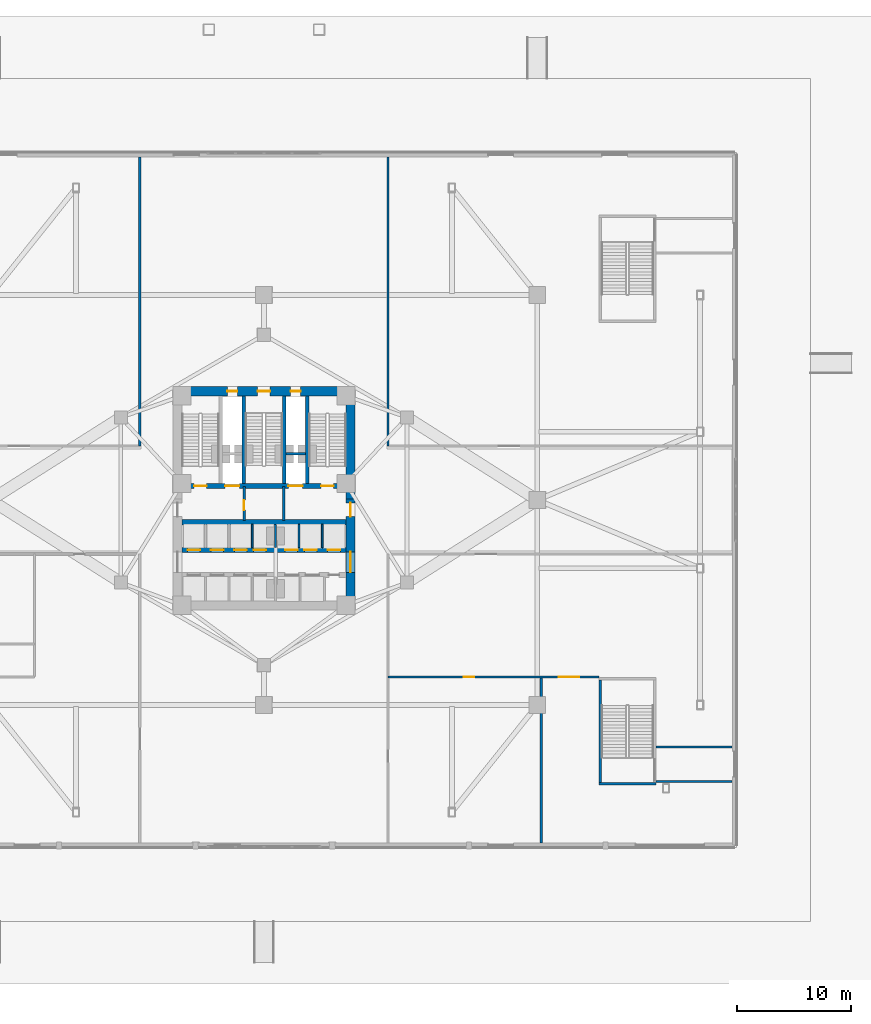
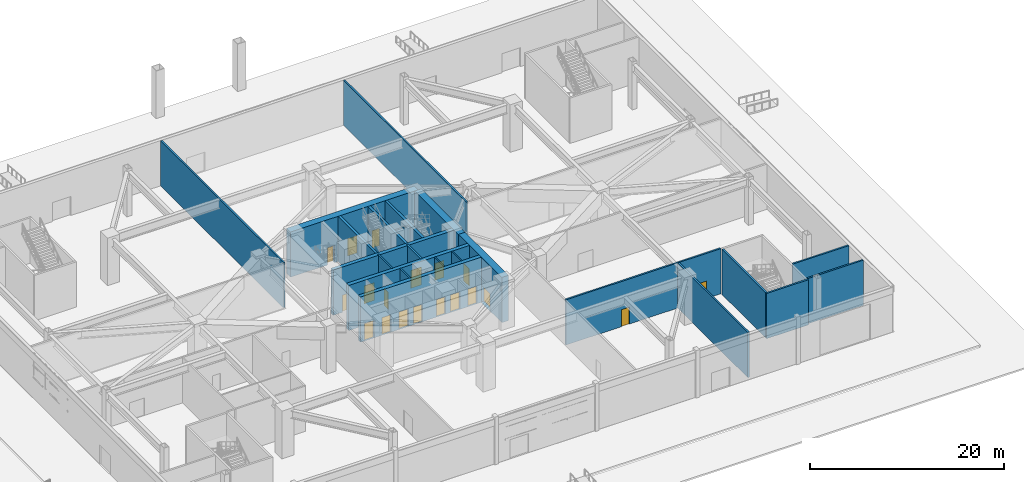
# One storey, part 12 of 24: 24 walls, 19 doors, 19 openings.
"""IFC4 building model written with IfcOpenShell, lengths in metres."""

from ifc_helpers import new_model, si_unit, direction, frame, frame_2d, origin, place, context, subcontext, project, spatial, rectangle, extrude, material, layer, layer_set, type_object, element, fill, save


model = new_model("IFC4")

# Units and contexts
model_context = context("Model", 3, precision=1e-05, world=origin(), true_north=direction((0.0, 1.0)))
body_context = subcontext(model_context, "Body", "Model", "MODEL_VIEW")
ifc_project = project(units=[si_unit("LENGTHUNIT", "METRE"), si_unit("AREAUNIT", "SQUARE_METRE"), si_unit("VOLUMEUNIT", "CUBIC_METRE"), si_unit("PLANEANGLEUNIT", "RADIAN"), si_unit("MASSUNIT", "GRAM", prefix="KILO")], contexts=[model_context])

# Site, building, storey
site_placement = place(None, origin())
site = spatial("IfcSite", under=ifc_project, at=site_placement, CompositionType="ELEMENT")
building_placement = place(site_placement, origin())
building = spatial("IfcBuilding", under=site, at=building_placement, Name="Apsidion Concourse Tower", CompositionType="ELEMENT")
storey_placement = place(building_placement, origin())
storey = spatial("IfcBuildingStorey", under=building, at=storey_placement, Name="L00", CompositionType="ELEMENT", Elevation=0.0)

# Walls
ifc_material_1 = material(Name="Gypsum plasterboard partition")
ifc_layer_1 = layer(ifc_material_1, 0.14990234375)
ifc_layer_set_1 = layer_set([ifc_layer_1], Name="Gypsum plasterboard partition")
wall_type_1 = type_object("IfcWallType", Name="WL-INT-PAR-150", PredefinedType="PARTITIONING", material=ifc_layer_set_1)
for number, where, z_axis, x_axis, name in (
    (1, (-1.02490234375, -4.179931640625, 0.0), (0.0, 0.0, 1.0), (0.0, 1.0, 0.0), "L00 Interior Partition WL-L00-B1DIV-3"),
    (2, (3.074951171875, -4.179931640625, 0.0), (0.0, 0.0, 1.0), (0.0, 1.0, 0.0), "L00 Interior Partition WL-L00-B3DIV-1"),
    (3, (5.125, -4.179931640625, 0.0), (0.0, 0.0, 1.0), (0.0, 1.0, 0.0), "L00 Interior Partition WL-L00-B3DIV-2"),
):
    element("IfcWall", number, at=place(storey_placement, frame(where, z_axis=z_axis, x_axis=x_axis)), inside=storey, type_object=wall_type_1, Name=name, PredefinedType="PARTITIONING", context=body_context, shape_type="SweptSolid", body=[
        extrude(rectangle(XDim=2.030029296875, YDim=0.14990234375, at=frame_2d((1.01513671875, 0.0))), origin(), (0.0, 0.0, 1.0), 5.699951171875),
    ])
ifc_layer_2 = layer(ifc_material_1, 0.179931640625)
ifc_layer_set_2 = layer_set([ifc_layer_2], Name="Gypsum plasterboard partition")
wall_type_2 = type_object("IfcWallType", Name="WL-INT-PAR-180", PredefinedType="PARTITIONING", material=ifc_layer_set_2)
wall_1_placement = place(storey_placement, frame((1.02490234375, -4.179931640625, 0.0), z_axis=(0.0, 0.0, 1.0), x_axis=(0.0, 1.0, 0.0)))
element("IfcWall", 4, at=wall_1_placement, inside=storey, type_object=wall_type_2, Name="L00 Interior Partition WL-L00-B1END", PredefinedType="PARTITIONING", context=body_context, shape_type="SweptSolid", body=[
    extrude(rectangle(XDim=2.030029296875, YDim=0.179931640625, at=frame_2d((1.01513671875, 0.0))), origin(), (0.0, 0.0, 1.0), 4.748046875),
])
ifc_layer_3 = layer(ifc_material_1, 0.199951171875)
ifc_layer_set_3 = layer_set([ifc_layer_3], Name="Gypsum plasterboard partition")
wall_type_3 = type_object("IfcWallType", Name="WL-INT-PAR-200", PredefinedType="PARTITIONING", material=ifc_layer_set_3)
wall_2_placement = place(storey_placement, frame((1.919921875, 4.050048828125, 0.0), z_axis=(0.0, 0.0, 1.0), x_axis=(1.0, 0.0, 0.0)))
element("IfcWall", 5, at=wall_2_placement, inside=storey, type_object=wall_type_3, Name="L00 Interior Partition WL-L00-FF2-N", PredefinedType="PARTITIONING", context=body_context, shape_type="SweptSolid", body=[
    extrude(rectangle(XDim=1.72998046875, YDim=0.199951171875, at=frame_2d((0.864990234375, 0.0))), origin(), (0.0, 0.0, 1.0), 5.699951171875),
])

# Wall, opening, door
wall_3_placement = place(storey_placement, frame((-1.739990234375, -1.780029296875, 0.0), z_axis=(0.0, 0.0, 1.0), x_axis=(0.0, 1.0, 0.0)))
wall_3 = element("IfcWall", 6, at=wall_3_placement, inside=storey, type_object=wall_type_3, Name="L00 Interior Partition WL-L00-FF1-E", PredefinedType="PARTITIONING", context=body_context, shape_type="SweptSolid", body=[
    extrude(rectangle(XDim=2.97998046875, YDim=0.199951171875, at=frame_2d((1.489990234375, 0.0))), origin(), (0.0, 0.0, 1.0), 5.699951171875),
])
opening_1_placement = place(wall_3_placement, frame((0.889892578125, 0.0, 0.0)))
opening_1 = element("IfcOpeningElement", 7, at=opening_1_placement, cuts=wall_3, Name="Opening D-05R", PredefinedType="OPENING", context=body_context, shape_type="SweptSolid", body=[
    extrude(rectangle(XDim=0.8798828125, YDim=2.14990234375, at=frame_2d((0.43994140625, 1.074951171875))), frame((0.0, 0.10986328125, 0.0), z_axis=(0.0, -1.0, 0.0), x_axis=(1.0, 0.0, 0.0)), (0.0, 0.0, 1.0), 0.219970703125),
])
ifc_material_2 = material(Name="Brushed stainless steel 316", Category="steel")
door_type_1 = type_object("IfcDoorType", Name="DR-INT-D05R", OperationType="SINGLE_SWING_RIGHT", PredefinedType="DOOR", material=ifc_material_2)
door_1_placement = place(opening_1_placement, origin())
door_1 = element("IfcDoor", 8, at=door_1_placement, inside=storey, type_object=door_type_1, Name="L00 Core BMS Door", OperationType="SINGLE_SWING_RIGHT", OverallHeight=2.14990234375, OverallWidth=0.8798828125, PredefinedType="DOOR", context=body_context, shape_type="SweptSolid", body=[
    extrude(rectangle(XDim=0.8798828125, YDim=2.14990234375, at=frame_2d((0.43994140625, 1.074951171875))), frame((0.0, 0.02490234375, 0.0), z_axis=(0.0, -1.0, 0.0), x_axis=(1.0, 0.0, 0.0)), (0.0, 0.0, 1.0), 0.050048828125),
])
fill(opening_1, door_1)

# Walls
wall_4_placement = place(storey_placement, frame((1.739990234375, -1.780029296875, 0.0), z_axis=(0.0, 0.0, 1.0), x_axis=(0.0, 1.0, 0.0)))
element("IfcWall", 9, at=wall_4_placement, inside=storey, type_object=wall_type_3, Name="L00 Interior Partition WL-L00-FF2-W", PredefinedType="PARTITIONING", context=body_context, shape_type="SweptSolid", body=[
    extrude(rectangle(XDim=2.97998046875, YDim=0.199951171875, at=frame_2d((1.489990234375, 0.0))), origin(), (0.0, 0.0, 1.0), 5.699951171875),
])
for number, where, z_axis, x_axis, name in (
    (10, (34.419921875, -24.7099609375, 0.0), (0.0, 0.0, 1.0), (1.0, 0.0, 0.0), "L00 Interior Partition WL-L00-EXP2-S"),
    (11, (34.419921875, -21.68994140625, 0.0), (0.0, 0.0, 1.0), (1.0, 0.0, 0.0), "L00 Interior Partition WL-L00-EXP2-N"),
):
    element("IfcWall", number, at=place(storey_placement, frame(where, z_axis=z_axis, x_axis=x_axis)), inside=storey, type_object=wall_type_3, Name=name, PredefinedType="PARTITIONING", context=body_context, shape_type="SweptSolid", body=[
        extrude(rectangle(XDim=6.68505859375, YDim=0.199951171875, at=frame_2d((3.342529296875, 0.0))), origin(), (0.0, 0.0, 1.0), 5.699951171875),
    ])
for number, where, z_axis, x_axis, name in (
    (12, (-10.89990234375, 4.75, 0.0), (0.0, 0.0, 1.0), (0.0, 1.0, 0.0), "L00 Interior Partition WL-L00-NW-E"),
    (13, (10.89990234375, 4.75, 0.0), (0.0, 0.0, 1.0), (0.0, 1.0, 0.0), "L00 Interior Partition WL-L00-NE-W"),
):
    element("IfcWall", number, at=place(storey_placement, frame(where, z_axis=z_axis, x_axis=x_axis)), inside=storey, type_object=wall_type_3, Name=name, PredefinedType="PARTITIONING", context=body_context, shape_type="SweptSolid", body=[
        extrude(rectangle(XDim=25.35498046875, YDim=0.199951171875, at=frame_2d((12.677490234375, 0.0))), origin(), (0.0, 0.0, 1.0), 5.699951171875),
    ])

# Wall, openings, doors
wall_5_placement = place(storey_placement, frame((10.89990234375, -15.550048828125, 0.0), z_axis=(0.0, 0.0, 1.0), x_axis=(1.0, 0.0, 0.0)))
wall_5 = element("IfcWall", 14, at=wall_5_placement, inside=storey, type_object=wall_type_3, Name="L00 Interior Partition WL-L00-LD-N1", PredefinedType="PARTITIONING", context=body_context, shape_type="SweptSolid", body=[
    extrude(rectangle(XDim=18.5, YDim=0.199951171875, at=frame_2d((9.25, 0.0))), origin(), (0.0, 0.0, 1.0), 5.699951171875),
])
opening_2_placement = place(wall_5_placement, frame((6.625244140625, 0.0, 0.0)))
opening_2 = element("IfcOpeningElement", 15, at=opening_2_placement, cuts=wall_5, Name="Opening D-04L", PredefinedType="OPENING", context=body_context, shape_type="SweptSolid", body=[
    extrude(rectangle(XDim=0.949951171875, YDim=2.14990234375, at=frame_2d((0.47509765625, 1.074951171875))), frame((0.0, 0.10986328125, 0.0), z_axis=(0.0, -1.0, 0.0), x_axis=(1.0, 0.0, 0.0)), (0.0, 0.0, 1.0), 0.219970703125),
])
opening_3_placement = place(wall_5_placement, frame((15.000732421875, 0.0, 0.0)))
opening_3 = element("IfcOpeningElement", 16, at=opening_3_placement, cuts=wall_5, Name="Opening D-06D", PredefinedType="OPENING", context=body_context, shape_type="SweptSolid", body=[
    extrude(rectangle(XDim=1.800048828125, YDim=2.199951171875, at=frame_2d((0.89990234375, 1.10009765625))), frame((0.0, 0.10986328125, 0.0), z_axis=(0.0, -1.0, 0.0), x_axis=(1.0, 0.0, 0.0)), (0.0, 0.0, 1.0), 0.219970703125),
])
door_type_2 = type_object("IfcDoorType", Name="DR-INT-D04L", OperationType="SINGLE_SWING_LEFT", PredefinedType="DOOR", material=ifc_material_2)
door_2_placement = place(opening_2_placement, origin())
door_2 = element("IfcDoor", 17, at=door_2_placement, inside=storey, type_object=door_type_2, Name="Service Corridor Bike Door", OperationType="SINGLE_SWING_LEFT", OverallHeight=2.14990234375, OverallWidth=0.949951171875, PredefinedType="DOOR", context=body_context, shape_type="SweptSolid", body=[
    extrude(rectangle(XDim=0.949951171875, YDim=2.14990234375, at=frame_2d((0.47509765625, 1.074951171875))), frame((0.0, 0.02490234375, 0.0), z_axis=(0.0, -1.0, 0.0), x_axis=(1.0, 0.0, 0.0)), (0.0, 0.0, 1.0), 0.050048828125),
])
fill(opening_2, door_2)
door_type_3 = type_object("IfcDoorType", Name="DR-INT-D06D", OperationType="DOUBLE_DOOR_SINGLE_SWING", PredefinedType="DOOR", material=ifc_material_2)
door_3_placement = place(opening_3_placement, origin())
door_3 = element("IfcDoor", 18, at=door_3_placement, inside=storey, type_object=door_type_3, Name="Loading Bay Service Door", OperationType="DOUBLE_DOOR_SINGLE_SWING", OverallHeight=2.199951171875, OverallWidth=1.800048828125, PredefinedType="DOOR", context=body_context, shape_type="SweptSolid", body=[
    extrude(rectangle(XDim=1.800048828125, YDim=2.199951171875, at=frame_2d((0.89990234375, 1.10009765625))), frame((0.0, 0.02490234375, 0.0), z_axis=(0.0, -1.0, 0.0), x_axis=(1.0, 0.0, 0.0)), (0.0, 0.0, 1.0), 0.050048828125),
])
fill(opening_3, door_3)

# Walls
wall_6_placement = place(storey_placement, frame((24.35009765625, -30.10498046875, 0.0), z_axis=(0.0, 0.0, 1.0), x_axis=(0.0, 1.0, 0.0)))
element("IfcWall", 19, at=wall_6_placement, inside=storey, type_object=wall_type_3, Name="L00 Interior Partition WL-L00-LD-W", PredefinedType="PARTITIONING", context=body_context, shape_type="SweptSolid", body=[
    extrude(rectangle(XDim=14.455078125, YDim=0.199951171875, at=frame_2d((7.2275390625, 0.0))), origin(), (0.0, 0.0, 1.0), 5.699951171875),
])
ifc_material_3 = material(Name="Concrete C50/60", Category="concrete")
ifc_layer_4 = layer(ifc_material_3, 0.219970703125)
ifc_layer_set_4 = layer_set([ifc_layer_4], Name="Concrete C50/60")
wall_type_4 = type_object("IfcWallType", Name="WL-SH-220", PredefinedType="SHEAR", material=ifc_layer_set_4)
wall_7_placement = place(storey_placement, frame((29.429931640625, -24.909912109375, 0.0), z_axis=(0.0, 0.0, 1.0), x_axis=(1.0, 0.0, 0.0)))
element("IfcWall", 20, at=wall_7_placement, inside=storey, type_object=wall_type_4, Name="L00 Podium Stair ST-P2 Core Shear Wall S", PredefinedType="SHEAR", context=body_context, shape_type="SweptSolid", body=[
    extrude(rectangle(XDim=4.989990234375, YDim=0.219970703125, at=frame_2d((2.4951171875, 0.0))), origin(), (0.0, 0.0, 1.0), 5.699951171875),
])
wall_8_placement = place(storey_placement, frame((29.5400390625, -24.800048828125, 0.0), z_axis=(0.0, 0.0, 1.0), x_axis=(0.0, 1.0, 0.0)))
element("IfcWall", 21, at=wall_8_placement, inside=storey, type_object=wall_type_4, Name="L00 Podium Stair ST-P2 Core Shear Wall W", PredefinedType="SHEAR", context=body_context, shape_type="SweptSolid", body=[
    extrude(rectangle(XDim=9.0, YDim=0.219970703125, at=frame_2d((4.5, 0.0))), origin(), (0.0, 0.0, 1.0), 5.699951171875),
])
ifc_layer_5 = layer(ifc_material_3, 0.300048828125)
ifc_layer_set_5 = layer_set([ifc_layer_5], Name="Concrete C50/60")
wall_type_5 = type_object("IfcWallType", Name="WL-SH-300", PredefinedType="SHEAR", material=ifc_layer_set_5)
for number, where, z_axis, x_axis, name in (
    (22, (-1.77490234375, 1.449951171875, 0.0), (0.0, 0.0, 1.0), (0.0, 1.0, 0.0), "L00 Central Core Shear Wall V2"),
    (23, (1.77490234375, 1.449951171875, 0.0), (0.0, 0.0, 1.0), (0.0, 1.0, 0.0), "L00 Central Core Shear Wall V3"),
    (24, (3.800048828125, 1.449951171875, 0.0), (0.0, 0.0, 1.0), (0.0, 1.0, 0.0), "L00 Central Core Shear Wall V4"),
):
    element("IfcWall", number, at=place(storey_placement, frame(where, z_axis=z_axis, x_axis=x_axis)), inside=storey, type_object=wall_type_5, Name=name, PredefinedType="SHEAR", context=body_context, shape_type="SweptSolid", body=[
        extrude(rectangle(XDim=7.699951171875, YDim=0.300048828125, at=frame_2d((3.85009765625, 0.0))), origin(), (0.0, 0.0, 1.0), 5.699951171875),
    ])

# Wall, openings, doors
ifc_material_4 = material(Name="Concrete C60/75", Category="concrete")
ifc_layer_6 = layer(ifc_material_4, 0.449951171875)
ifc_layer_set_6 = layer_set([ifc_layer_6], Name="Concrete C60/75")
wall_type_6 = type_object("IfcWallType", Name="WL-SH-450", PredefinedType="SHEAR", material=ifc_layer_set_6)
wall_9_placement = place(storey_placement, frame((-7.199951171875, 1.22509765625, 0.0), z_axis=(0.0, 0.0, 1.0), x_axis=(1.0, 0.0, 0.0)))
wall_9 = element("IfcWall", 25, at=wall_9_placement, inside=storey, type_object=wall_type_6, Name="L00 Central Core Shear Wall M1", PredefinedType="SHEAR", context=body_context, shape_type="SweptSolid", body=[
    extrude(rectangle(XDim=14.39990234375, YDim=0.449951171875, at=frame_2d((7.199951171875, 0.0))), origin(), (0.0, 0.0, 1.0), 5.699951171875),
])
opening_4_placement = place(wall_9_placement, frame((3.794921875, 0.0, 0.0)))
opening_4 = element("IfcOpeningElement", 26, at=opening_4_placement, cuts=wall_9, Name="Opening LD-FF", PredefinedType="OPENING", context=body_context, shape_type="SweptSolid", body=[
    extrude(rectangle(XDim=1.25, YDim=2.25, at=frame_2d((0.625, 1.125))), frame((0.0, 0.23486328125, 0.0), z_axis=(0.0, -1.0, 0.0), x_axis=(1.0, 0.0, 0.0)), (0.0, 0.0, 1.0), 0.469970703125),
])
opening_5_placement = place(wall_9_placement, frame((9.35498046875, 0.0, 0.0)))
opening_5 = element("IfcOpeningElement", 27, at=opening_5_placement, cuts=wall_9, Name="Opening LD-FF", PredefinedType="OPENING", context=body_context, shape_type="SweptSolid", body=[
    extrude(rectangle(XDim=1.25, YDim=2.25, at=frame_2d((0.625, 1.125))), frame((0.0, 0.23486328125, 0.0), z_axis=(0.0, -1.0, 0.0), x_axis=(1.0, 0.0, 0.0)), (0.0, 0.0, 1.0), 0.469970703125),
])
opening_6_placement = place(wall_9_placement, frame((1.074951171875, 0.0, 0.0)))
opening_6 = element("IfcOpeningElement", 28, at=opening_6_placement, cuts=wall_9, Name="Opening D-STL", PredefinedType="OPENING", context=body_context, shape_type="SweptSolid", body=[
    extrude(rectangle(XDim=1.10009765625, YDim=2.14990234375, at=frame_2d((0.550048828125, 1.074951171875))), frame((0.0, 0.23486328125, 0.0), z_axis=(0.0, -1.0, 0.0), x_axis=(1.0, 0.0, 0.0)), (0.0, 0.0, 1.0), 0.469970703125),
])
opening_7_placement = place(wall_9_placement, frame((12.22509765625, 0.0, 0.0)))
opening_7 = element("IfcOpeningElement", 29, at=opening_7_placement, cuts=wall_9, Name="Opening D-STR", PredefinedType="OPENING", context=body_context, shape_type="SweptSolid", body=[
    extrude(rectangle(XDim=1.10009765625, YDim=2.14990234375, at=frame_2d((0.550048828125, 1.074951171875))), frame((0.0, 0.23486328125, 0.0), z_axis=(0.0, -1.0, 0.0), x_axis=(1.0, 0.0, 0.0)), (0.0, 0.0, 1.0), 0.469970703125),
])
door_type_4 = type_object("IfcDoorType", Name="DR-INT-ST1L", OperationType="SINGLE_SWING_LEFT", PredefinedType="DOOR", material=ifc_material_2)
door_4_placement = place(opening_6_placement, origin())
door_4 = element("IfcDoor", 30, at=door_4_placement, inside=storey, type_object=door_type_4, Name="L00 Core Exit Stair ST1 Door", OperationType="SINGLE_SWING_LEFT", OverallHeight=2.14990234375, OverallWidth=1.10009765625, PredefinedType="DOOR", context=body_context, shape_type="SweptSolid", body=[
    extrude(rectangle(XDim=1.10009765625, YDim=2.14990234375, at=frame_2d((0.550048828125, 1.074951171875))), frame((0.0, 0.02490234375, 0.0), z_axis=(0.0, -1.0, 0.0), x_axis=(1.0, 0.0, 0.0)), (0.0, 0.0, 1.0), 0.050048828125),
])
fill(opening_6, door_4)
door_type_5 = type_object("IfcDoorType", Name="DR-INT-ST1R", OperationType="SINGLE_SWING_RIGHT", PredefinedType="DOOR", material=ifc_material_2)
door_5_placement = place(opening_7_placement, origin())
door_5 = element("IfcDoor", 31, at=door_5_placement, inside=storey, type_object=door_type_5, Name="L00 Core Exit Stair ST2 Door", OperationType="SINGLE_SWING_RIGHT", OverallHeight=2.14990234375, OverallWidth=1.10009765625, PredefinedType="DOOR", context=body_context, shape_type="SweptSolid", body=[
    extrude(rectangle(XDim=1.10009765625, YDim=2.14990234375, at=frame_2d((0.550048828125, 1.074951171875))), frame((0.0, 0.02490234375, 0.0), z_axis=(0.0, -1.0, 0.0), x_axis=(1.0, 0.0, 0.0)), (0.0, 0.0, 1.0), 0.050048828125),
])
fill(opening_7, door_5)
door_type_6 = type_object("IfcDoorType", Name="DR-LD-FSAE", OperationType="DOUBLE_DOOR_SLIDING", PredefinedType="DOOR", material=ifc_material_2)
door_6_placement = place(opening_4_placement, origin())
door_6 = element("IfcDoor", 32, at=door_6_placement, inside=storey, type_object=door_type_6, Name="L00 Lift Landing Door FF1", OperationType="DOUBLE_DOOR_SLIDING", OverallHeight=2.25, OverallWidth=1.25, PredefinedType="DOOR", context=body_context, shape_type="SweptSolid", body=[
    extrude(rectangle(XDim=1.25, YDim=2.25, at=frame_2d((0.625, 1.125))), frame((0.0, 0.02490234375, 0.0), z_axis=(0.0, -1.0, 0.0), x_axis=(1.0, 0.0, 0.0)), (0.0, 0.0, 1.0), 0.050048828125),
])
fill(opening_4, door_6)
door_7_placement = place(opening_5_placement, origin())
door_7 = element("IfcDoor", 33, at=door_7_placement, inside=storey, type_object=door_type_6, Name="L00 Lift Landing Door FF2", OperationType="DOUBLE_DOOR_SLIDING", OverallHeight=2.25, OverallWidth=1.25, PredefinedType="DOOR", context=body_context, shape_type="SweptSolid", body=[
    extrude(rectangle(XDim=1.25, YDim=2.25, at=frame_2d((0.625, 1.125))), frame((0.0, 0.02490234375, 0.0), z_axis=(0.0, -1.0, 0.0), x_axis=(1.0, 0.0, 0.0)), (0.0, 0.0, 1.0), 0.050048828125),
])
fill(opening_5, door_7)

# Wall
wall_10_placement = place(storey_placement, frame((-7.199951171875, -1.949951171875, 0.0), z_axis=(0.0, 0.0, 1.0), x_axis=(1.0, 0.0, 0.0)))
element("IfcWall", 34, at=wall_10_placement, inside=storey, type_object=wall_type_6, Name="L00 Central Core Shear Wall M2", PredefinedType="SHEAR", context=body_context, shape_type="SweptSolid", body=[
    extrude(rectangle(XDim=14.39990234375, YDim=0.449951171875, at=frame_2d((7.199951171875, 0.0))), origin(), (0.0, 0.0, 1.0), 5.699951171875),
])

# Wall, openings, doors
wall_11_placement = place(storey_placement, frame((-7.199951171875, -4.3798828125, 0.0), z_axis=(0.0, 0.0, 1.0), x_axis=(1.0, 0.0, 0.0)))
wall_11 = element("IfcWall", 35, at=wall_11_placement, inside=storey, type_object=wall_type_6, Name="L00 Central Core Shear Wall LA", PredefinedType="SHEAR", context=body_context, shape_type="SweptSolid", body=[
    extrude(rectangle(XDim=14.39990234375, YDim=0.449951171875, at=frame_2d((7.199951171875, 0.0))), origin(), (0.0, 0.0, 1.0), 5.699951171875),
])
opening_8_placement = place(wall_11_placement, frame((0.5, 0.0, 0.0)))
opening_8 = element("IfcOpeningElement", 36, at=opening_8_placement, cuts=wall_11, Name="Opening LD-P1", PredefinedType="OPENING", context=body_context, shape_type="SweptSolid", body=[
    extrude(rectangle(XDim=1.10009765625, YDim=2.199951171875, at=frame_2d((0.550048828125, 1.10009765625))), frame((0.0, 0.23486328125, 0.0), z_axis=(0.0, -1.0, 0.0), x_axis=(1.0, 0.0, 0.0)), (0.0, 0.0, 1.0), 0.469970703125),
])
opening_9_placement = place(wall_11_placement, frame((2.550048828125, 0.0, 0.0)))
opening_9 = element("IfcOpeningElement", 37, at=opening_9_placement, cuts=wall_11, Name="Opening LD-P1", PredefinedType="OPENING", context=body_context, shape_type="SweptSolid", body=[
    extrude(rectangle(XDim=1.10009765625, YDim=2.199951171875, at=frame_2d((0.550048828125, 1.10009765625))), frame((0.0, 0.23486328125, 0.0), z_axis=(0.0, -1.0, 0.0), x_axis=(1.0, 0.0, 0.0)), (0.0, 0.0, 1.0), 0.469970703125),
])
opening_10_placement = place(wall_11_placement, frame((4.60009765625, 0.0, 0.0)))
opening_10 = element("IfcOpeningElement", 38, at=opening_10_placement, cuts=wall_11, Name="Opening LD-P1", PredefinedType="OPENING", context=body_context, shape_type="SweptSolid", body=[
    extrude(rectangle(XDim=1.10009765625, YDim=2.199951171875, at=frame_2d((0.550048828125, 1.10009765625))), frame((0.0, 0.23486328125, 0.0), z_axis=(0.0, -1.0, 0.0), x_axis=(1.0, 0.0, 0.0)), (0.0, 0.0, 1.0), 0.469970703125),
])
opening_11_placement = place(wall_11_placement, frame((6.300048828125, 0.0, 0.0)))
opening_11 = element("IfcOpeningElement", 39, at=opening_11_placement, cuts=wall_11, Name="Opening LD-P1", PredefinedType="OPENING", context=body_context, shape_type="SweptSolid", body=[
    extrude(rectangle(XDim=1.10009765625, YDim=2.199951171875, at=frame_2d((0.550048828125, 1.10009765625))), frame((0.0, 0.23486328125, 0.0), z_axis=(0.0, -1.0, 0.0), x_axis=(1.0, 0.0, 0.0)), (0.0, 0.0, 1.0), 0.469970703125),
])
opening_12_placement = place(wall_11_placement, frame((9.050048828125, 0.0, 0.0)))
opening_12 = element("IfcOpeningElement", 40, at=opening_12_placement, cuts=wall_11, Name="Opening LD-P1", PredefinedType="OPENING", context=body_context, shape_type="SweptSolid", body=[
    extrude(rectangle(XDim=1.10009765625, YDim=2.199951171875, at=frame_2d((0.550048828125, 1.10009765625))), frame((0.0, 0.23486328125, 0.0), z_axis=(0.0, -1.0, 0.0), x_axis=(1.0, 0.0, 0.0)), (0.0, 0.0, 1.0), 0.469970703125),
])
opening_13_placement = place(wall_11_placement, frame((10.75, 0.0, 0.0)))
opening_13 = element("IfcOpeningElement", 41, at=opening_13_placement, cuts=wall_11, Name="Opening LD-P1", PredefinedType="OPENING", context=body_context, shape_type="SweptSolid", body=[
    extrude(rectangle(XDim=1.10009765625, YDim=2.199951171875, at=frame_2d((0.550048828125, 1.10009765625))), frame((0.0, 0.23486328125, 0.0), z_axis=(0.0, -1.0, 0.0), x_axis=(1.0, 0.0, 0.0)), (0.0, 0.0, 1.0), 0.469970703125),
])
opening_14_placement = place(wall_11_placement, frame((12.800048828125, 0.0, 0.0)))
opening_14 = element("IfcOpeningElement", 42, at=opening_14_placement, cuts=wall_11, Name="Opening LD-P1", PredefinedType="OPENING", context=body_context, shape_type="SweptSolid", body=[
    extrude(rectangle(XDim=1.10009765625, YDim=2.199951171875, at=frame_2d((0.550048828125, 1.10009765625))), frame((0.0, 0.23486328125, 0.0), z_axis=(0.0, -1.0, 0.0), x_axis=(1.0, 0.0, 0.0)), (0.0, 0.0, 1.0), 0.469970703125),
])
door_type_7 = type_object("IfcDoorType", Name="DR-LD-PASS", OperationType="DOUBLE_DOOR_SLIDING", PredefinedType="DOOR", material=ifc_material_2)
door_8_placement = place(opening_8_placement, origin())
door_8 = element("IfcDoor", 43, at=door_8_placement, inside=storey, type_object=door_type_7, Name="L00 Lift Landing Door P1", OperationType="DOUBLE_DOOR_SLIDING", OverallHeight=2.199951171875, OverallWidth=1.10009765625, PredefinedType="DOOR", context=body_context, shape_type="SweptSolid", body=[
    extrude(rectangle(XDim=1.10009765625, YDim=2.199951171875, at=frame_2d((0.550048828125, 1.10009765625))), frame((0.0, 0.02490234375, 0.0), z_axis=(0.0, -1.0, 0.0), x_axis=(1.0, 0.0, 0.0)), (0.0, 0.0, 1.0), 0.050048828125),
])
fill(opening_8, door_8)
door_9_placement = place(opening_9_placement, origin())
door_9 = element("IfcDoor", 44, at=door_9_placement, inside=storey, type_object=door_type_7, Name="L00 Lift Landing Door P2", OperationType="DOUBLE_DOOR_SLIDING", OverallHeight=2.199951171875, OverallWidth=1.10009765625, PredefinedType="DOOR", context=body_context, shape_type="SweptSolid", body=[
    extrude(rectangle(XDim=1.10009765625, YDim=2.199951171875, at=frame_2d((0.550048828125, 1.10009765625))), frame((0.0, 0.02490234375, 0.0), z_axis=(0.0, -1.0, 0.0), x_axis=(1.0, 0.0, 0.0)), (0.0, 0.0, 1.0), 0.050048828125),
])
fill(opening_9, door_9)
door_10_placement = place(opening_10_placement, origin())
door_10 = element("IfcDoor", 45, at=door_10_placement, inside=storey, type_object=door_type_7, Name="L00 Lift Landing Door P3", OperationType="DOUBLE_DOOR_SLIDING", OverallHeight=2.199951171875, OverallWidth=1.10009765625, PredefinedType="DOOR", context=body_context, shape_type="SweptSolid", body=[
    extrude(rectangle(XDim=1.10009765625, YDim=2.199951171875, at=frame_2d((0.550048828125, 1.10009765625))), frame((0.0, 0.02490234375, 0.0), z_axis=(0.0, -1.0, 0.0), x_axis=(1.0, 0.0, 0.0)), (0.0, 0.0, 1.0), 0.050048828125),
])
fill(opening_10, door_10)
door_11_placement = place(opening_11_placement, origin())
door_11 = element("IfcDoor", 46, at=door_11_placement, inside=storey, type_object=door_type_7, Name="L00 Lift Landing Door P4", OperationType="DOUBLE_DOOR_SLIDING", OverallHeight=2.199951171875, OverallWidth=1.10009765625, PredefinedType="DOOR", context=body_context, shape_type="SweptSolid", body=[
    extrude(rectangle(XDim=1.10009765625, YDim=2.199951171875, at=frame_2d((0.550048828125, 1.10009765625))), frame((0.0, 0.02490234375, 0.0), z_axis=(0.0, -1.0, 0.0), x_axis=(1.0, 0.0, 0.0)), (0.0, 0.0, 1.0), 0.050048828125),
])
fill(opening_11, door_11)
door_12_placement = place(opening_12_placement, origin())
door_12 = element("IfcDoor", 47, at=door_12_placement, inside=storey, type_object=door_type_7, Name="L00 Lift Landing Door P9", OperationType="DOUBLE_DOOR_SLIDING", OverallHeight=2.199951171875, OverallWidth=1.10009765625, PredefinedType="DOOR", context=body_context, shape_type="SweptSolid", body=[
    extrude(rectangle(XDim=1.10009765625, YDim=2.199951171875, at=frame_2d((0.550048828125, 1.10009765625))), frame((0.0, 0.02490234375, 0.0), z_axis=(0.0, -1.0, 0.0), x_axis=(1.0, 0.0, 0.0)), (0.0, 0.0, 1.0), 0.050048828125),
])
fill(opening_12, door_12)
door_13_placement = place(opening_13_placement, origin())
door_13 = element("IfcDoor", 48, at=door_13_placement, inside=storey, type_object=door_type_7, Name="L00 Lift Landing Door P10", OperationType="DOUBLE_DOOR_SLIDING", OverallHeight=2.199951171875, OverallWidth=1.10009765625, PredefinedType="DOOR", context=body_context, shape_type="SweptSolid", body=[
    extrude(rectangle(XDim=1.10009765625, YDim=2.199951171875, at=frame_2d((0.550048828125, 1.10009765625))), frame((0.0, 0.02490234375, 0.0), z_axis=(0.0, -1.0, 0.0), x_axis=(1.0, 0.0, 0.0)), (0.0, 0.0, 1.0), 0.050048828125),
])
fill(opening_13, door_13)
door_14_placement = place(opening_14_placement, origin())
door_14 = element("IfcDoor", 49, at=door_14_placement, inside=storey, type_object=door_type_7, Name="L00 Lift Landing Door P11", OperationType="DOUBLE_DOOR_SLIDING", OverallHeight=2.199951171875, OverallWidth=1.10009765625, PredefinedType="DOOR", context=body_context, shape_type="SweptSolid", body=[
    extrude(rectangle(XDim=1.10009765625, YDim=2.199951171875, at=frame_2d((0.550048828125, 1.10009765625))), frame((0.0, 0.02490234375, 0.0), z_axis=(0.0, -1.0, 0.0), x_axis=(1.0, 0.0, 0.0)), (0.0, 0.0, 1.0), 0.050048828125),
])
fill(opening_14, door_14)

ifc_layer_7 = layer(ifc_material_4, 0.800048828125)
ifc_layer_set_7 = layer_set([ifc_layer_7], Name="Concrete C60/75")
wall_type_7 = type_object("IfcWallType", Name="WL-SH-800", PredefinedType="SHEAR", material=ifc_layer_set_7)
wall_12_placement = place(storey_placement, frame((-7.60009765625, 9.550048828125, 0.0), z_axis=(0.0, 0.0, 1.0), x_axis=(1.0, 0.0, 0.0)))
wall_12 = element("IfcWall", 50, at=wall_12_placement, inside=storey, type_object=wall_type_7, Name="L00 Central Core Shear Wall N", PredefinedType="SHEAR", context=body_context, shape_type="SweptSolid", body=[
    extrude(rectangle(XDim=15.2001953125, YDim=0.800048828125, at=frame_2d((7.60009765625, 0.0))), origin(), (0.0, 0.0, 1.0), 5.699951171875),
])
opening_15_placement = place(wall_12_placement, frame((7.050048828125, 0.0, 0.0)))
opening_15 = element("IfcOpeningElement", 51, at=opening_15_placement, cuts=wall_12, Name="Opening D-STL", PredefinedType="OPENING", context=body_context, shape_type="SweptSolid", body=[
    extrude(rectangle(XDim=1.10009765625, YDim=2.14990234375, at=frame_2d((0.550048828125, 1.074951171875))), frame((0.0, 0.41015625, 0.0), z_axis=(0.0, -1.0, 0.0), x_axis=(1.0, 0.0, 0.0)), (0.0, 0.0, 1.0), 0.820068359375),
])
opening_16_placement = place(wall_12_placement, frame((4.3798828125, 0.0, 0.0)))
opening_16 = element("IfcOpeningElement", 52, at=opening_16_placement, cuts=wall_12, Name="Opening D-05L", PredefinedType="OPENING", context=body_context, shape_type="SweptSolid", body=[
    extrude(rectangle(XDim=0.8798828125, YDim=2.14990234375, at=frame_2d((0.43994140625, 1.074951171875))), frame((0.0, 0.41015625, 0.0), z_axis=(0.0, -1.0, 0.0), x_axis=(1.0, 0.0, 0.0)), (0.0, 0.0, 1.0), 0.820068359375),
])
opening_17_placement = place(wall_12_placement, frame((9.93994140625, 0.0, 0.0)))
opening_17 = element("IfcOpeningElement", 53, at=opening_17_placement, cuts=wall_12, Name="Opening D-05R", PredefinedType="OPENING", context=body_context, shape_type="SweptSolid", body=[
    extrude(rectangle(XDim=0.8798828125, YDim=2.14990234375, at=frame_2d((0.43994140625, 1.074951171875))), frame((0.0, 0.41015625, 0.0), z_axis=(0.0, -1.0, 0.0), x_axis=(1.0, 0.0, 0.0)), (0.0, 0.0, 1.0), 0.820068359375),
])
door_type_8 = type_object("IfcDoorType", Name="DR-INT-D05L", OperationType="SINGLE_SWING_LEFT", PredefinedType="DOOR", material=ifc_material_2)
door_15_placement = place(opening_16_placement, origin())
door_15 = element("IfcDoor", 54, at=door_15_placement, inside=storey, type_object=door_type_8, Name="L00 Electrical Riser Shaft Access Door", OperationType="SINGLE_SWING_LEFT", OverallHeight=2.14990234375, OverallWidth=0.8798828125, PredefinedType="DOOR", context=body_context, shape_type="SweptSolid", body=[
    extrude(rectangle(XDim=0.8798828125, YDim=2.14990234375, at=frame_2d((0.43994140625, 1.074951171875))), frame((0.0, 0.02490234375, 0.0), z_axis=(0.0, -1.0, 0.0), x_axis=(1.0, 0.0, 0.0)), (0.0, 0.0, 1.0), 0.050048828125),
])
fill(opening_16, door_15)
door_16_placement = place(opening_17_placement, origin())
door_16 = element("IfcDoor", 55, at=door_16_placement, inside=storey, type_object=door_type_1, Name="L00 Mechanical Riser Shaft Access Door", OperationType="SINGLE_SWING_RIGHT", OverallHeight=2.14990234375, OverallWidth=0.8798828125, PredefinedType="DOOR", context=body_context, shape_type="SweptSolid", body=[
    extrude(rectangle(XDim=0.8798828125, YDim=2.14990234375, at=frame_2d((0.43994140625, 1.074951171875))), frame((0.0, 0.02490234375, 0.0), z_axis=(0.0, -1.0, 0.0), x_axis=(1.0, 0.0, 0.0)), (0.0, 0.0, 1.0), 0.050048828125),
])
fill(opening_17, door_16)
door_17_placement = place(opening_15_placement, origin())
door_17 = element("IfcDoor", 56, at=door_17_placement, inside=storey, type_object=door_type_4, Name="L00 Core Exit Stair ST3 Door", OperationType="SINGLE_SWING_LEFT", OverallHeight=2.14990234375, OverallWidth=1.10009765625, PredefinedType="DOOR", context=body_context, shape_type="SweptSolid", body=[
    extrude(rectangle(XDim=1.10009765625, YDim=2.14990234375, at=frame_2d((0.550048828125, 1.074951171875))), frame((0.0, 0.02490234375, 0.0), z_axis=(0.0, -1.0, 0.0), x_axis=(1.0, 0.0, 0.0)), (0.0, 0.0, 1.0), 0.050048828125),
])
fill(opening_15, door_17)

# Wall
wall_13_placement = place(storey_placement, frame((7.60009765625, 0.10009765625, 0.0), z_axis=(0.0, 0.0, 1.0), x_axis=(0.0, 1.0, 0.0)))
element("IfcWall", 57, at=wall_13_placement, inside=storey, type_object=wall_type_7, Name="L00 Central Core Shear Wall EN", PredefinedType="SHEAR", context=body_context, shape_type="SweptSolid", body=[
    extrude(rectangle(XDim=9.0498046875, YDim=0.800048828125, at=frame_2d((4.52490234375, 0.0))), origin(), (0.0, 0.0, 1.0), 5.699951171875),
])

# Wall, openings, doors
wall_14_placement = place(storey_placement, frame((7.60009765625, -8.85009765625, 0.0), z_axis=(0.0, 0.0, 1.0), x_axis=(0.0, 1.0, 0.0)))
wall_14 = element("IfcWall", 58, at=wall_14_placement, inside=storey, type_object=wall_type_7, Name="L00 Central Core Shear Wall ES", PredefinedType="SHEAR", context=body_context, shape_type="SweptSolid", body=[
    extrude(rectangle(XDim=8.9501953125, YDim=0.800048828125, at=frame_2d((4.47509765625, 0.0))), origin(), (0.0, 0.0, 1.0), 5.699951171875),
])
opening_18_placement = place(wall_14_placement, frame((2.489990234375, 0.0, 0.0)))
opening_18 = element("IfcOpeningElement", 59, at=opening_18_placement, cuts=wall_14, Name="Opening D-06D", PredefinedType="OPENING", context=body_context, shape_type="SweptSolid", body=[
    extrude(rectangle(XDim=1.800048828125, YDim=2.199951171875, at=frame_2d((0.89990234375, 1.10009765625))), frame((0.0, 0.41015625, 0.0), z_axis=(0.0, -1.0, 0.0), x_axis=(1.0, 0.0, 0.0)), (0.0, 0.0, 1.0), 0.820068359375),
])
opening_19_placement = place(wall_14_placement, frame((7.39990234375, 0.0, 0.0)))
opening_19 = element("IfcOpeningElement", 60, at=opening_19_placement, cuts=wall_14, Name="Opening D-FFR", PredefinedType="OPENING", context=body_context, shape_type="SweptSolid", body=[
    extrude(rectangle(XDim=1.199951171875, YDim=2.14990234375, at=frame_2d((0.60009765625, 1.074951171875))), frame((0.0, 0.41015625, 0.0), z_axis=(0.0, -1.0, 0.0), x_axis=(1.0, 0.0, 0.0)), (0.0, 0.0, 1.0), 0.820068359375),
])
door_18_placement = place(opening_18_placement, origin())
door_18 = element("IfcDoor", 61, at=door_18_placement, inside=storey, type_object=door_type_3, Name="L00 Passenger Lift Lobby ES Portal Door", OperationType="DOUBLE_DOOR_SINGLE_SWING", OverallHeight=2.199951171875, OverallWidth=1.800048828125, PredefinedType="DOOR", context=body_context, shape_type="SweptSolid", body=[
    extrude(rectangle(XDim=1.800048828125, YDim=2.199951171875, at=frame_2d((0.89990234375, 1.10009765625))), frame((0.0, 0.02490234375, 0.0), z_axis=(0.0, -1.0, 0.0), x_axis=(1.0, 0.0, 0.0)), (0.0, 0.0, 1.0), 0.050048828125),
])
fill(opening_18, door_18)
door_type_9 = type_object("IfcDoorType", Name="DR-INT-FFR", OperationType="SINGLE_SWING_RIGHT", PredefinedType="DOOR", material=ifc_material_2)
door_19_placement = place(opening_19_placement, origin())
door_19 = element("IfcDoor", 62, at=door_19_placement, inside=storey, type_object=door_type_9, Name="L00 Firefighting Lift Lobby FF2 Door", OperationType="SINGLE_SWING_RIGHT", OverallHeight=2.14990234375, OverallWidth=1.199951171875, PredefinedType="DOOR", context=body_context, shape_type="SweptSolid", body=[
    extrude(rectangle(XDim=1.199951171875, YDim=2.14990234375, at=frame_2d((0.60009765625, 1.074951171875))), frame((0.0, 0.02490234375, 0.0), z_axis=(0.0, -1.0, 0.0), x_axis=(1.0, 0.0, 0.0)), (0.0, 0.0, 1.0), 0.050048828125),
])
fill(opening_19, door_19)

save(model, "model.ifc")
